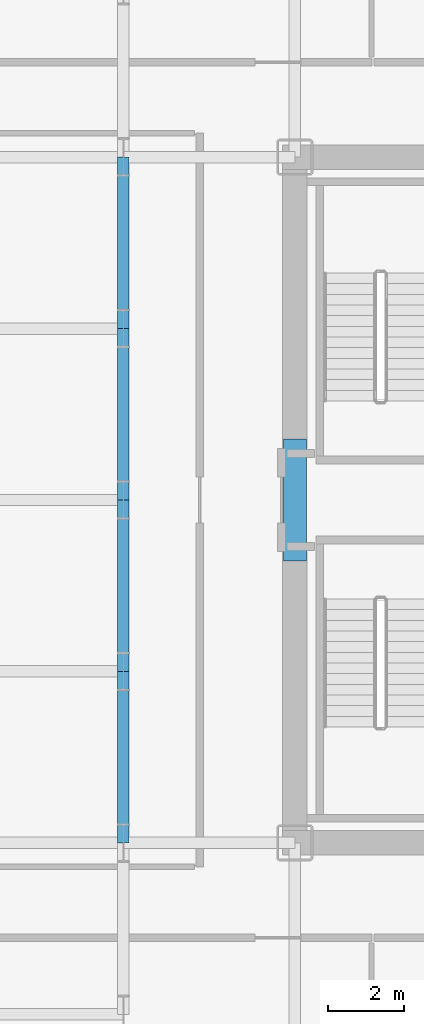
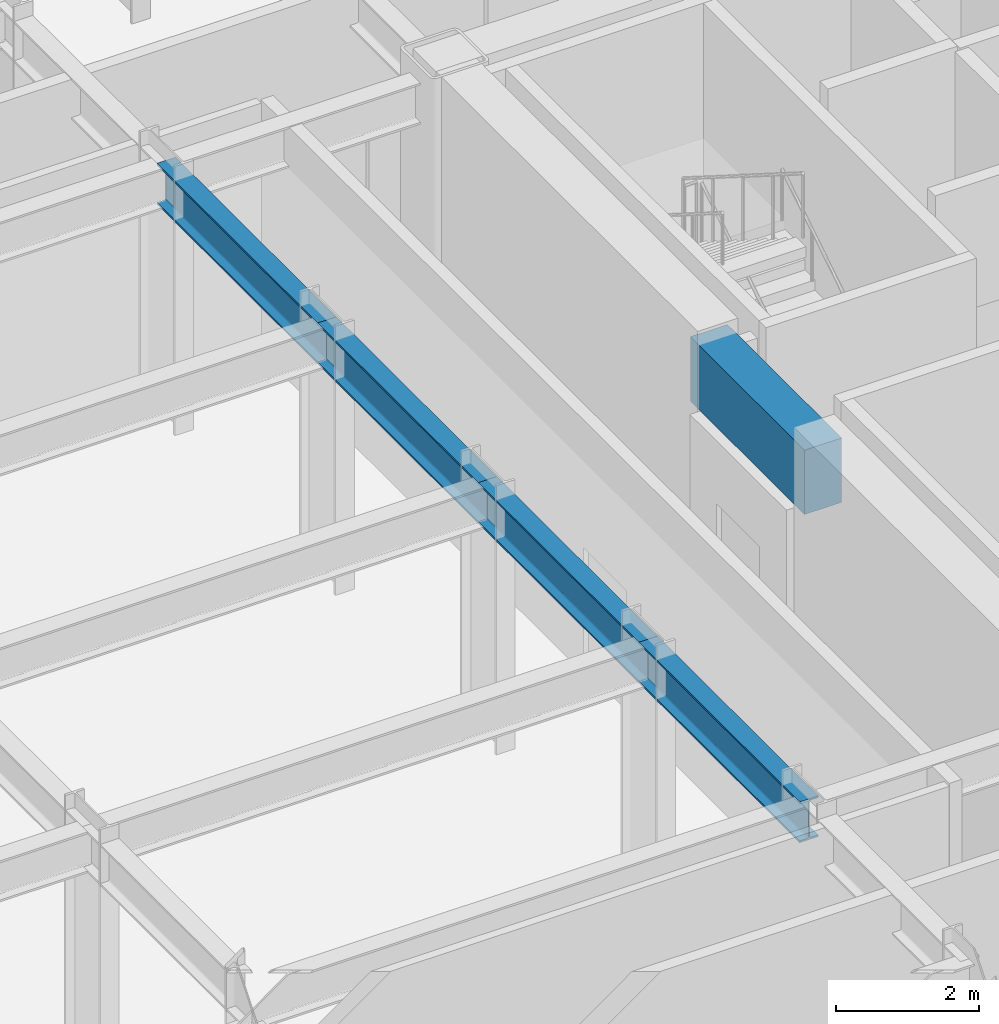
# One storey, part 7 of 30: 5 beams.
"""IFC4 building model written with IfcOpenShell, lengths in metres."""

from ifc_helpers import new_model, si_unit, direction, frame, origin, origin_2d, place, context, subcontext, project, spatial, rectangle, i_section, extrude, source, transform, mapped, material, material_profile, profile_set, type_object, element, save


model = new_model("IFC4")

# Units and contexts
model_context = context("Model", 3, precision=1e-05, world=origin(), true_north=direction((0.0, 1.0)))
body_context = subcontext(model_context, "Body", "Model", "MODEL_VIEW")
ifc_project = project(units=[si_unit("LENGTHUNIT", "METRE"), si_unit("AREAUNIT", "SQUARE_METRE"), si_unit("VOLUMEUNIT", "CUBIC_METRE"), si_unit("PLANEANGLEUNIT", "RADIAN"), si_unit("MASSUNIT", "GRAM", prefix="KILO")], contexts=[model_context])

# Site, building, storey
site_placement = place(None, origin())
site = spatial("IfcSite", under=ifc_project, at=site_placement, CompositionType="ELEMENT")
building_placement = place(site_placement, origin())
building = spatial("IfcBuilding", under=site, at=building_placement, Name="Nefas-Gora Pilgrimage Tower", CompositionType="ELEMENT")
storey_placement = place(building_placement, frame((0.0, 0.0, 86.199951171875)))
storey = spatial("IfcBuildingStorey", under=building, at=storey_placement, Name="L20", CompositionType="ELEMENT", Elevation=86.199951171875)

# Beams
ifc_material_1 = material(Name="Concrete C60/75", Category="concrete")
ifc_material_profile_1 = material_profile(ifc_material_1, rectangle(XDim=0.60009765625, YDim=1.10009765625, at=origin_2d()), Name="RC 600x1100")
ifc_profile_set_1 = profile_set([ifc_material_profile_1], Name="Concrete C60/75")
beam_type_1 = type_object("IfcBeamType", Name="BM-LIN-RC1100", PredefinedType="LINTEL", material=ifc_profile_set_1)
shared_shape_1 = source(origin(), body_context, "Body", "SweptSolid", [
    extrude(rectangle(XDim=0.60009765625, YDim=1.10009765625, at=origin_2d()), origin(), (0.0, 0.0, 1.0), 3.2001953125),
])
beam_placement = place(storey_placement, frame((-11.25, -1.60009765625, 3.800048828125), z_axis=(0.0, 1.0, 0.0), x_axis=(-1.0, 0.0, 0.0)))
element("IfcBeam", 1, at=beam_placement, inside=storey, type_object=beam_type_1, Name="L20 Core Coupling Lintel Beam W", PredefinedType="LINTEL", context=body_context, shape_type="MappedRepresentation", body=[
    mapped(shared_shape_1, transform((0.0, 0.0, 0.0), x_axis=(1.0, 0.0, 0.0), y_axis=(0.0, 1.0, 0.0), z_axis=(0.0, 0.0, 1.0), scale=1.0)),
])
ifc_material_2 = material(Name="Steel S355", Category="steel")
ifc_material_profile_2 = material_profile(ifc_material_2, i_section(OverallWidth=0.300048828125, OverallDepth=0.699951171875, WebThickness=0.01708984375, FlangeThickness=0.031982421875, FilletRadius=0.027099609375, at=origin_2d()), Name="HEB 700")
ifc_profile_set_2 = profile_set([ifc_material_profile_2], Name="Steel S355")
beam_type_2 = type_object("IfcBeamType", Name="BM-GIR-HEB700", PredefinedType="BEAM", material=ifc_profile_set_2)
shared_shape_2 = source(origin(), body_context, "Body", "SweptSolid", [
    extrude(i_section(OverallWidth=0.300048828125, OverallDepth=0.699951171875, WebThickness=0.01708984375, FlangeThickness=0.031982421875, FilletRadius=0.027099609375, at=origin_2d()), origin(), (0.0, 0.0, 1.0), 4.5),
])
for number, where, z_axis, x_axis, name in (
    (2, (-15.75, -9.0, 4.0), (0.0, 1.0, 0.0), (-1.0, 0.0, 0.0), "L20 G-02 beam"),
    (3, (-15.75, -4.5, 4.0), (0.0, 1.0, 0.0), (-1.0, 0.0, 0.0), "L20 G-02 beam"),
    (4, (-15.75, 0.0, 4.0), (0.0, 1.0, 0.0), (-1.0, 0.0, 0.0), "L20 G-02 beam"),
    (5, (-15.75, 4.5, 4.0), (0.0, 1.0, 0.0), (-1.0, 0.0, 0.0), "L20 G-02 beam"),
):
    element("IfcBeam", number, at=place(storey_placement, frame(where, z_axis=z_axis, x_axis=x_axis)), inside=storey, type_object=beam_type_2, Name=name, PredefinedType="BEAM", context=body_context, shape_type="MappedRepresentation", body=[
        mapped(shared_shape_2, transform((0.0, 0.0, 0.0), x_axis=(1.0, 0.0, 0.0), y_axis=(0.0, 1.0, 0.0), z_axis=(0.0, 0.0, 1.0), scale=1.0)),
    ])

save(model, "model.ifc")
